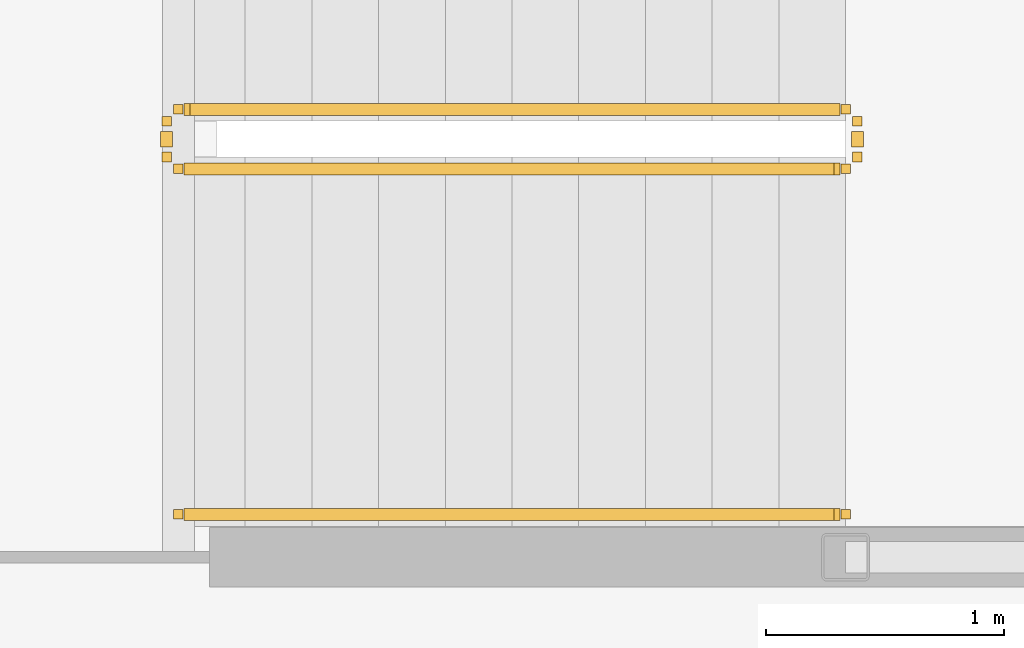
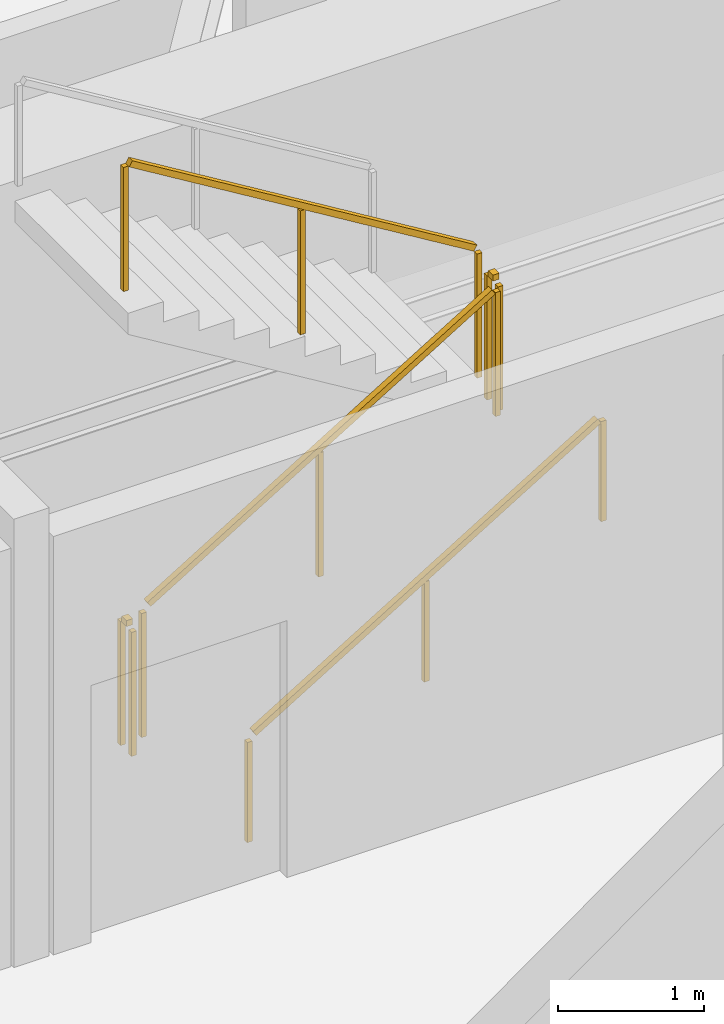
# One storey, part 19 of 20: 5 railings.
"""IFC4 building model written with IfcOpenShell, lengths in metres."""

import ifcopenshell
import ifcopenshell.guid

model = None  # the IFC model being written
_history = None  # IfcOwnerHistory: only IFC2X3 demands one
_inside = {}  # id of a spatial element -> (the spatial element, [elements in it])
_under = {}  # id of a project, library or spatial element -> (it, [spatial elements below it])
_declared = {}  # id of a project -> (the project, [libraries it declares])
_typed = {}  # id of a type object -> (the type object, [elements of that type])
_made_of = {}  # id of a material, layer set ... -> (it, [elements and type objects made of it])


def new_model(schema):
    """Start an empty IFC model of exactly this schema.

    Asked for "IFC4X3", IfcOpenShell would pick the latest addendum, in which some entities
    have other attributes; the version numbers below select the first issue.
    IFC2X3 requires an IfcOwnerHistory on every rooted entity: one is made here for all.
    """
    global model, _history
    if schema == "IFC4X3":
        model = ifcopenshell.file(schema_version=(4, 3, 0, 0))
    else:
        model = ifcopenshell.file(schema=schema)
    _inside.clear()
    _under.clear()
    _declared.clear()
    _typed.clear()
    _made_of.clear()
    _history = None
    if model.schema == "IFC2X3":
        org = make("IfcOrganization", Name="unknown")
        user = make(
            "IfcPersonAndOrganization",
            ThePerson=make("IfcPerson", FamilyName="unknown"),
            TheOrganization=org,
        )
        app = make(
            "IfcApplication",
            ApplicationDeveloper=org,
            Version="unknown",
            ApplicationFullName="unknown",
            ApplicationIdentifier="unknown",
        )
        _history = make(
            "IfcOwnerHistory",
            OwningUser=user,
            OwningApplication=app,
            ChangeAction="ADDED",
            CreationDate=0,
        )
    return model


def make(cls, **values):
    """One entity of the class cls with the attributes given. An attribute that is None is left unset."""
    return model.create_entity(
        cls, **{name: value for name, value in values.items() if value is not None}
    )


def rooted(cls, **values):
    """An entity with a GlobalId (a new one), such as an element, a storey or a relation."""
    return make(cls, GlobalId=ifcopenshell.guid.new(), OwnerHistory=_history, **values)


def si_unit(unit_type, name, prefix=None):
    """IfcSIUnit, for example si_unit("LENGTHUNIT", "METRE", prefix="MILLI")."""
    return make("IfcSIUnit", UnitType=unit_type, Prefix=prefix, Name=name)


def assignment(units):
    """IfcUnitAssignment: the units of a project."""
    return None if units is None else make("IfcUnitAssignment", Units=units)


def point(xyz):
    """IfcCartesianPoint."""
    return None if xyz is None else make("IfcCartesianPoint", Coordinates=xyz)


def direction(xyz):
    """IfcDirection."""
    return None if xyz is None else make("IfcDirection", DirectionRatios=xyz)


def frame(location, z_axis=None, x_axis=None):
    """IfcAxis2Placement3D, a coordinate frame: its origin and axes. An axis left out is left unset."""
    return make(
        "IfcAxis2Placement3D",
        Location=point(location),
        Axis=direction(z_axis),
        RefDirection=direction(x_axis),
    )


def frame_2d(location, x_axis=None):
    """IfcAxis2Placement2D, a coordinate frame in the plane: its origin and x axis."""
    return make(
        "IfcAxis2Placement2D", Location=point(location), RefDirection=direction(x_axis)
    )


def origin():
    """The frame at (0, 0, 0) with its axes left unset."""
    return frame((0.0, 0.0, 0.0))


def origin_2d():
    """The frame at (0, 0) in the plane with its x axis left unset."""
    return frame_2d((0.0, 0.0))


def place(relative_to, where):
    """IfcLocalPlacement: puts the frame where relative to a parent placement (None: the world)."""
    return make(
        "IfcLocalPlacement", PlacementRelTo=relative_to, RelativePlacement=where
    )


def context(
    kind, dimensions, precision=None, world=None, true_north=None, identifier=None
):
    """IfcGeometricRepresentationContext, for example the 3D "Model" context."""
    return make(
        "IfcGeometricRepresentationContext",
        ContextIdentifier=identifier,
        ContextType=kind,
        CoordinateSpaceDimension=dimensions,
        Precision=precision,
        WorldCoordinateSystem=world,
        TrueNorth=true_north,
    )


def subcontext(parent, identifier, kind, view, scale=None):
    """IfcGeometricRepresentationSubContext, for example "Body" below "Model"."""
    return make(
        "IfcGeometricRepresentationSubContext",
        ContextIdentifier=identifier,
        ContextType=kind,
        ParentContext=parent,
        TargetScale=scale,
        TargetView=view,
    )


def project(units=None, contexts=None):
    """IfcProject with its units and contexts."""
    return rooted(
        "IfcProject",
        Name="project",
        RepresentationContexts=contexts,
        UnitsInContext=assignment(units),
    )


def spatial(cls, under=None, at=None, **own):
    """A site, building, storey or space (cls), placed at a placement, below another one or the project."""
    s = rooted(cls, ObjectPlacement=at, **own)
    if under is not None:
        _under.setdefault(under.id(), (under, []))[1].append(s)
    return s


def profile(cls, at=None, kind="AREA", **sizes):
    """A parametric profile (cls). Its sizes go by their IFC names, for example OverallWidth=200.0."""
    return make(cls, ProfileType=kind, Position=at, **sizes)


def rectangle(**sizes):
    """IfcRectangleProfileDef."""
    return profile("IfcRectangleProfileDef", **sizes)


def extrude(swept, where, along, depth):
    """IfcExtrudedAreaSolid: the profile swept, set in the frame where, extruded along a direction by depth."""
    return make(
        "IfcExtrudedAreaSolid",
        SweptArea=swept,
        Position=where,
        ExtrudedDirection=direction(along),
        Depth=depth,
    )


def shape(context_of_items, identifier, shape_type, items):
    """IfcShapeRepresentation: the items that make up one representation, for example the "Body"."""
    return make(
        "IfcShapeRepresentation",
        ContextOfItems=context_of_items,
        RepresentationIdentifier=identifier,
        RepresentationType=shape_type,
        Items=items,
    )


def material(Name=None, Category=None):
    """IfcMaterial."""
    return make("IfcMaterial", Name=Name, Category=Category)


def made_of(thing, what):
    """Note that an element or type object is made of a material, layer set ...; save() writes the relation."""
    if what is not None:
        _made_of.setdefault(what.id(), (what, []))[1].append(thing)
    return thing


def type_object(cls, material=None, **own):
    """A type object (cls), such as IfcWallType, which elements share."""
    return made_of(rooted(cls, **own), material)


def element(
    cls,
    number,
    at=None,
    inside=None,
    cuts=None,
    type_object=None,
    material=None,
    context=None,
    identifier="Body",
    shape_type=None,
    held_by="IfcProductDefinitionShape",
    body=None,
    shapes=None,
    **own,
):
    """One element of the class cls, such as IfcWall. Its Tag is "e" and its number.

    at: its placement. inside: the storey or other place that contains it. cuts: it is an
    opening in that element (IfcRelVoidsElement). A single representation is given by context,
    identifier, shape_type and body (its items); several are given by shapes. held_by: the class
    of the entity that holds the representations. save() writes the other relations.
    """
    e = rooted(cls, Tag="e%d" % number, ObjectPlacement=at, **own)
    if body is not None:
        shapes = [shape(context, identifier, shape_type, body)]
    if shapes is not None:
        e.Representation = make(held_by, Representations=shapes)
    if inside is not None:
        _inside.setdefault(inside.id(), (inside, []))[1].append(e)
    if cuts is not None:
        rooted(
            "IfcRelVoidsElement", RelatingBuildingElement=cuts, RelatedOpeningElement=e
        )
    if type_object is not None:
        _typed.setdefault(type_object.id(), (type_object, []))[1].append(e)
    return made_of(e, material)


def aggregate(whole, parts):
    """IfcRelAggregates: a whole, such as a stair, and the parts it consists of."""
    return rooted("IfcRelAggregates", RelatingObject=whole, RelatedObjects=parts)


def save(model, path):
    """Write the relations noted so far, then the file.

    IfcRelAggregates (storeys below a building ...), IfcRelContainedInSpatialStructure (elements
    in a storey), IfcRelDefinesByType, IfcRelAssociatesMaterial and IfcRelDeclares: one each for
    every whole, place, type object, material and project.
    """
    for whole, parts in _under.values():
        aggregate(whole, parts)
    for where, things in _inside.values():
        rooted(
            "IfcRelContainedInSpatialStructure",
            RelatedElements=things,
            RelatingStructure=where,
        )
    for kind, things in _typed.values():
        rooted("IfcRelDefinesByType", RelatedObjects=things, RelatingType=kind)
    for what, things in _made_of.values():
        rooted("IfcRelAssociatesMaterial", RelatedObjects=things, RelatingMaterial=what)
    for by, libraries in _declared.values():
        rooted("IfcRelDeclares", RelatingContext=by, RelatedDefinitions=libraries)
    model.write(path)


model = new_model("IFC4")

# Units and contexts
model_context = context("Model", 3, precision=1e-05, world=origin(), true_north=direction((0.0, 1.0)))
body_context = subcontext(model_context, "Body", "Model", "MODEL_VIEW")
ifc_project = project(units=[si_unit("LENGTHUNIT", "METRE"), si_unit("AREAUNIT", "SQUARE_METRE"), si_unit("VOLUMEUNIT", "CUBIC_METRE"), si_unit("PLANEANGLEUNIT", "RADIAN"), si_unit("MASSUNIT", "GRAM", prefix="KILO")], contexts=[model_context])

# Site, building, storey
site_placement = place(None, origin())
site = spatial("IfcSite", under=ifc_project, at=site_placement, CompositionType="ELEMENT")
building_placement = place(site_placement, origin())
building = spatial("IfcBuilding", under=site, at=building_placement, Name="Kazma Halo Residences", CompositionType="ELEMENT")
storey_placement = place(building_placement, frame((0.0, 0.0, 135.300048828125)))
storey = spatial("IfcBuildingStorey", under=building, at=storey_placement, Name="L33", CompositionType="ELEMENT", Elevation=135.300048828125)

# Railings
ifc_material_1 = material(Name="Painted Steel S355", Category="steel")
railing_type_1 = type_object("IfcRailingType", Name="RLG-STAIR-GRD-1100", PredefinedType="GUARDRAIL", material=ifc_material_1)
railing_1_placement = place(storey_placement, frame((53.199951171875, 48.25, 0.17041015625)))
element("IfcRailing", 1, at=railing_1_placement, inside=storey, type_object=railing_type_1, Name="L33 ST-02 stair guard 1", PredefinedType="GUARDRAIL", context=body_context, shape_type="SweptSolid", body=[
    extrude(rectangle(XDim=0.050048828125, YDim=0.050048828125, at=origin_2d()), frame((0.036376953125, 0.0, 1.09716796875), z_axis=(0.854169791009, 0.0, 0.51999420009), x_axis=(0.0, 1.0, 0.0)), (0.0, 0.0, 1.0), 3.193115234375),
    extrude(rectangle(XDim=0.0400390625, YDim=0.0400390625, at=origin_2d()), origin(), (0.0, 0.0, 1.0), 1.0380859375),
    extrude(rectangle(XDim=0.0400390625, YDim=0.0400390625, at=origin_2d()), frame((1.39990234375, 0.0, 0.852294921875)), (0.0, 0.0, 1.0), 1.0380859375),
    extrude(rectangle(XDim=0.0400390625, YDim=0.0400390625, at=origin_2d()), frame((2.800048828125, 0.0, 1.70458984375)), (0.0, 0.0, 1.0), 1.0380859375),
])
railing_2_placement = place(storey_placement, frame((56.050048828125, 48.300048828125, 1.875)))
element("IfcRailing", 2, at=railing_2_placement, inside=storey, type_object=railing_type_1, Name="L33 ST-02 stair guard 2", PredefinedType="GUARDRAIL", context=body_context, shape_type="SweptSolid", body=[
    extrude(rectangle(XDim=0.050048828125, YDim=0.050048828125, at=origin_2d()), frame((0.0, 0.04248046875, 1.0751953125), z_axis=(0.0, 1.0, 0.0), x_axis=(-1.0, 0.0, 0.0)), (0.0, 0.0, 1.0), 0.06494140625),
    extrude(rectangle(XDim=0.0400390625, YDim=0.0400390625, at=origin_2d()), origin(), (0.0, 0.0, 1.0), 1.0380859375),
    extrude(rectangle(XDim=0.0400390625, YDim=0.0400390625, at=origin_2d()), frame((0.0, 0.14990234375, 0.0)), (0.0, 0.0, 1.0), 1.0380859375),
])
railing_3_placement = place(storey_placement, frame((56.0, 48.5, 2.04541015625)))
element("IfcRailing", 3, at=railing_3_placement, inside=storey, type_object=railing_type_1, Name="L33 ST-02 stair guard 3", PredefinedType="GUARDRAIL", context=body_context, shape_type="SweptSolid", body=[
    extrude(rectangle(XDim=0.050048828125, YDim=0.050048828125, at=origin_2d()), frame((-0.036376953125, 0.0, 1.09716796875), z_axis=(-0.854169791009, 0.0, 0.51999420009), x_axis=(0.0, -1.0, 0.0)), (0.0, 0.0, 1.0), 3.193115234375),
    extrude(rectangle(XDim=0.0400390625, YDim=0.0400390625, at=origin_2d()), origin(), (0.0, 0.0, 1.0), 1.0380859375),
    extrude(rectangle(XDim=0.0400390625, YDim=0.0400390625, at=origin_2d()), frame((-1.39990234375, 0.0, 0.852294921875)), (0.0, 0.0, 1.0), 1.0380859375),
    extrude(rectangle(XDim=0.0400390625, YDim=0.0400390625, at=origin_2d()), frame((-2.800048828125, 0.0, 1.70458984375)), (0.0, 0.0, 1.0), 1.0380859375),
])
railing_4_placement = place(storey_placement, frame((53.14990234375, 48.300048828125, 0.0)))
element("IfcRailing", 4, at=railing_4_placement, inside=storey, type_object=railing_type_1, Name="L33 ST-02 stair guard 4", PredefinedType="GUARDRAIL", context=body_context, shape_type="SweptSolid", body=[
    extrude(rectangle(XDim=0.050048828125, YDim=0.050048828125, at=origin_2d()), frame((0.0, 0.04248046875, 1.0751953125), z_axis=(0.0, 1.0, 0.0), x_axis=(-1.0, 0.0, 0.0)), (0.0, 0.0, 1.0), 0.06494140625),
    extrude(rectangle(XDim=0.0400390625, YDim=0.0400390625, at=origin_2d()), origin(), (0.0, 0.0, 1.0), 1.0380859375),
    extrude(rectangle(XDim=0.0400390625, YDim=0.0400390625, at=origin_2d()), frame((0.0, 0.14990234375, 0.0)), (0.0, 0.0, 1.0), 1.0380859375),
])
ifc_material_2 = material(Name="Brushed Stainless Steel", Category="steel")
railing_type_2 = type_object("IfcRailingType", Name="RLG-STAIR-HND-900", PredefinedType="HANDRAIL", material=ifc_material_2)
railing_5_placement = place(storey_placement, frame((53.199951171875, 46.800048828125, 0.17041015625)))
element("IfcRailing", 5, at=railing_5_placement, inside=storey, type_object=railing_type_2, Name="L33 ST-02 stair handrail 1", PredefinedType="HANDRAIL", context=body_context, shape_type="SweptSolid", body=[
    extrude(rectangle(XDim=0.050048828125, YDim=0.050048828125, at=origin_2d()), frame((0.036376953125, 0.0, 0.89697265625), z_axis=(0.854169791009, 0.0, 0.51999420009), x_axis=(0.0, 1.0, 0.0)), (0.0, 0.0, 1.0), 3.193115234375),
    extrude(rectangle(XDim=0.0400390625, YDim=0.0400390625, at=origin_2d()), origin(), (0.0, 0.0, 1.0), 0.837890625),
    extrude(rectangle(XDim=0.0400390625, YDim=0.0400390625, at=origin_2d()), frame((1.39990234375, 0.0, 0.852294921875)), (0.0, 0.0, 1.0), 0.837890625),
    extrude(rectangle(XDim=0.0400390625, YDim=0.0400390625, at=origin_2d()), frame((2.800048828125, 0.0, 1.70458984375)), (0.0, 0.0, 1.0), 0.837890625),
])

save(model, "model.ifc")
